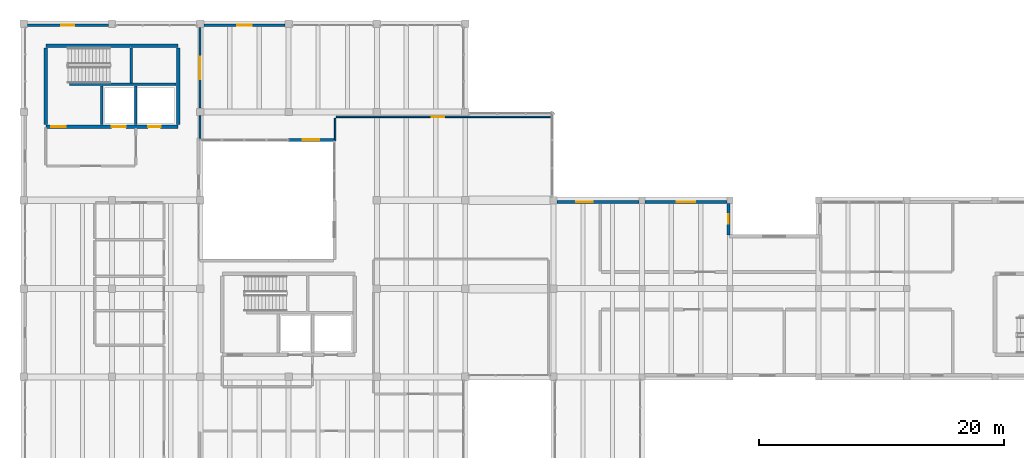
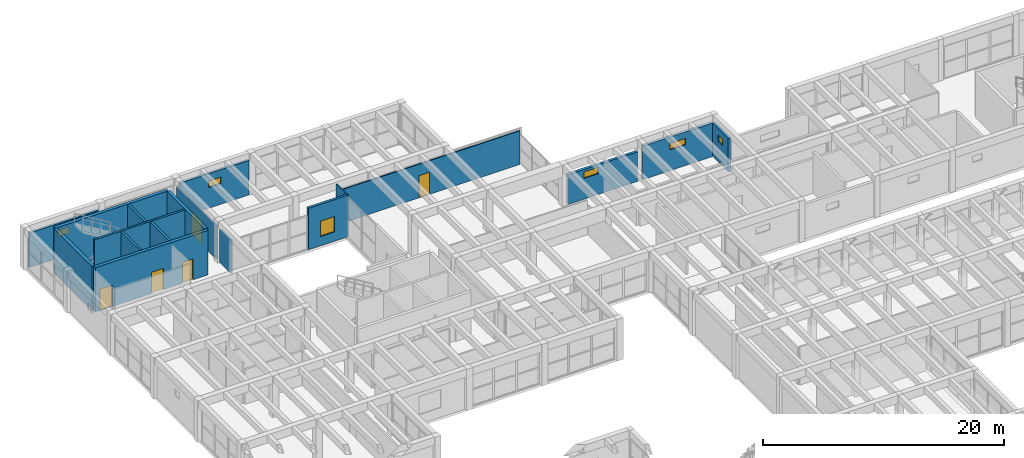
# One storey, part 140 of 153: 18 walls, 6 windows, 5 doors, 11 openings.
"""IFC4 building model written with IfcOpenShell, lengths in metres."""

from ifc_helpers import new_model, si_unit, direction, frame, frame_2d, origin, place, context, subcontext, project, spatial, rectangle, extrude, material, layer, layer_set, type_object, element, fill, save


model = new_model("IFC4")

# Units and contexts
model_context = context("Model", 3, precision=1e-05, world=origin(), true_north=direction((0.0, 1.0)))
body_context = subcontext(model_context, "Body", "Model", "MODEL_VIEW")
ifc_project = project(units=[si_unit("LENGTHUNIT", "METRE"), si_unit("AREAUNIT", "SQUARE_METRE"), si_unit("VOLUMEUNIT", "CUBIC_METRE"), si_unit("PLANEANGLEUNIT", "RADIAN"), si_unit("MASSUNIT", "GRAM", prefix="KILO")], contexts=[model_context])

# Site, building, storey
site_placement = place(None, origin())
site = spatial("IfcSite", under=ifc_project, at=site_placement, CompositionType="ELEMENT")
building_placement = place(site_placement, origin())
building = spatial("IfcBuilding", under=site, at=building_placement, Name="Bramvelor Terrace Health Centre", CompositionType="ELEMENT")
storey_placement = place(building_placement, frame((0.0, 0.0, 4.800048828125)))
storey = spatial("IfcBuildingStorey", under=building, at=storey_placement, Name="L02", CompositionType="ELEMENT", Elevation=4.800048828125)

# Wall, opening, door
ifc_material_1 = material(Name="Acoustic clinical partition board", Category="gypsum")
ifc_layer_1 = layer(ifc_material_1, 0.110107421875)
ifc_layer_set_1 = layer_set([ifc_layer_1], Name="Acoustic clinical partition board")
wall_type_1 = type_object("IfcWallType", Name="WL-CLN-110", PredefinedType="PARTITIONING", material=ifc_layer_set_1)
wall_1_placement = place(storey_placement, frame((25.489990234375, 107.60009765625, 0.0), z_axis=(0.0, 0.0, 1.0), x_axis=(1.0, 0.0, 0.0)))
wall_1 = element("IfcWall", 1, at=wall_1_placement, inside=storey, type_object=wall_type_1, Name="L02 Interior Partition 198", PredefinedType="PARTITIONING", context=body_context, shape_type="SweptSolid", body=[
    extrude(rectangle(XDim=17.47998046875, YDim=0.110107421875, at=frame_2d((8.739990234375, 0.0))), origin(), (0.0, 0.0, 1.0), 3.39990234375),
])
opening_1_placement = place(wall_1_placement, frame((7.784912109375, 0.0, 0.0)))
opening_1 = element("IfcOpeningElement", 2, at=opening_1_placement, cuts=wall_1, Name="Opening ID-C09", PredefinedType="OPENING", context=body_context, shape_type="SweptSolid", body=[
    extrude(rectangle(XDim=1.010009765625, YDim=2.239990234375, at=frame_2d((0.5048828125, 1.1201171875))), frame((0.0, 0.06494140625, 0.0), z_axis=(0.0, -1.0, 0.0), x_axis=(1.0, 0.0, 0.0)), (0.0, 0.0, 1.0), 0.130126953125),
])
ifc_material_2 = material(Name="Solid-core acoustic timber laminate", Category="wood")
door_type_1 = type_object("IfcDoorType", Name="DR-CLN-09", OperationType="NOTDEFINED", PredefinedType="DOOR", material=ifc_material_2)
door_1_placement = place(opening_1_placement, origin())
door_1 = element("IfcDoor", 3, at=door_1_placement, inside=storey, type_object=door_type_1, Name="L02 Adolescent Health Suite Clinical Door", OperationType="SINGLE_SWING_RIGHT", OverallHeight=2.239990234375, OverallWidth=1.010009765625, PredefinedType="DOOR", context=body_context, shape_type="SweptSolid", body=[
    extrude(rectangle(XDim=1.010009765625, YDim=2.239990234375, at=frame_2d((0.5048828125, 1.1201171875))), frame((0.0, 0.02490234375, 0.0), z_axis=(0.0, -1.0, 0.0), x_axis=(1.0, 0.0, 0.0)), (0.0, 0.0, 1.0), 0.050048828125),
])
fill(opening_1, door_1)

# Walls
ifc_material_3 = material(Name="Acoustic clinical partition board", Category="gypsum")
ifc_layer_2 = layer(ifc_material_3, 0.1201171875)
ifc_layer_set_2 = layer_set([ifc_layer_2], Name="Acoustic clinical partition board")
wall_type_2 = type_object("IfcWallType", Name="WL-CLN-120", PredefinedType="PARTITIONING", material=ifc_layer_set_2)
wall_2_placement = place(storey_placement, frame((25.39990234375, 105.6494140625, 0.0), z_axis=(0.0, 0.0, 1.0), x_axis=(0.0, 1.0, 0.0)))
element("IfcWall", 4, at=wall_2_placement, inside=storey, type_object=wall_type_2, Name="L02 Interior Partition 197", PredefinedType="PARTITIONING", context=body_context, shape_type="SweptSolid", body=[
    extrude(rectangle(XDim=1.860595703125, YDim=0.1201171875, at=frame_2d((0.93017578125, 0.0))), origin(), (0.0, 0.0, 1.0), 4.199951171875),
])
ifc_material_4 = material(Name="Fire-rated gypsum and mineral wool", Category="gypsum")
ifc_layer_3 = layer(ifc_material_4, 0.139892578125)
ifc_layer_set_3 = layer_set([ifc_layer_3], Name="Fire-rated gypsum and mineral wool")
wall_type_3 = type_object("IfcWallType", Name="WL-COR-140", PredefinedType="PARTITIONING", material=ifc_layer_set_3)
wall_3_placement = place(storey_placement, frame((14.3701171875, 105.848388671875, 0.0), z_axis=(0.0, 0.0, 1.0), x_axis=(0.0, 1.0, 0.0)))
element("IfcWall", 5, at=wall_3_placement, inside=storey, type_object=wall_type_3, Name="L02 Interior Partition 199", PredefinedType="PARTITIONING", context=body_context, shape_type="SweptSolid", body=[
    extrude(rectangle(XDim=1.836669921875, YDim=0.139892578125, at=frame_2d((0.91845703125, 0.0))), origin(), (0.0, 0.0, 1.0), 3.39990234375),
])

# Wall, opening, door
wall_4_placement = place(storey_placement, frame((14.3701171875, 108.31494140625, 0.0), z_axis=(0.0, 0.0, 1.0), x_axis=(0.0, 1.0, 0.0)))
wall_4 = element("IfcWall", 6, at=wall_4_placement, inside=storey, type_object=wall_type_3, Name="L02 Interior Partition 200", PredefinedType="PARTITIONING", context=body_context, shape_type="SweptSolid", body=[
    extrude(rectangle(XDim=6.574951171875, YDim=0.139892578125, at=frame_2d((3.28759765625, 0.0))), origin(), (0.0, 0.0, 1.0), 3.39990234375),
])
opening_2_placement = place(wall_4_placement, frame((2.367431640625, 0.0, 0.0)))
opening_2 = element("IfcOpeningElement", 7, at=opening_2_placement, cuts=wall_4, Name="Opening FD-10", PredefinedType="OPENING", context=body_context, shape_type="SweptSolid", body=[
    extrude(rectangle(XDim=1.840087890625, YDim=2.280029296875, at=frame_2d((0.919921875, 1.14013671875))), frame((0.0, 0.079833984375, 0.0), z_axis=(0.0, -1.0, 0.0), x_axis=(1.0, 0.0, 0.0)), (0.0, 0.0, 1.0), 0.159912109375),
])
ifc_material_5 = material(Name="Fire-rated steel and vision panel", Category="steel")
door_type_2 = type_object("IfcDoorType", Name="DR-FD60-184", OperationType="DOUBLE_DOOR_SINGLE_SWING", PredefinedType="DOOR", material=ifc_material_5)
door_2_placement = place(opening_2_placement, origin())
door_2 = element("IfcDoor", 8, at=door_2_placement, inside=storey, type_object=door_type_2, Name="L02 Multidisciplinary Case Review Room Fire Door", OperationType="DOUBLE_DOOR_SINGLE_SWING", OverallHeight=2.280029296875, OverallWidth=1.840087890625, PredefinedType="DOOR", context=body_context, shape_type="SweptSolid", body=[
    extrude(rectangle(XDim=1.840087890625, YDim=2.280029296875, at=frame_2d((0.919921875, 1.14013671875))), frame((0.0, 0.02490234375, 0.0), z_axis=(0.0, -1.0, 0.0), x_axis=(1.0, 0.0, 0.0)), (0.0, 0.0, 1.0), 0.050048828125),
])
fill(opening_2, door_2)

# Walls
ifc_material_6 = material(Name="Concrete C40/50", Category="concrete")
ifc_layer_4 = layer(ifc_material_6, 0.199951171875)
ifc_layer_set_4 = layer_set([ifc_layer_4], Name="Concrete C40/50")
wall_type_4 = type_object("IfcWallType", Name="WL-CORE-200", PredefinedType="SHEAR", material=ifc_layer_set_4)
wall_5_placement = place(storey_placement, frame((3.75, 110.25, 0.0), z_axis=(0.0, 0.0, 1.0), x_axis=(1.0, 0.0, 0.0)))
element("IfcWall", 9, at=wall_5_placement, inside=storey, type_object=wall_type_4, Name="C1 L02 Core Shear Wall", PredefinedType="SHEAR", context=body_context, shape_type="SweptSolid", body=[
    extrude(rectangle(XDim=8.669921875, YDim=0.199951171875, at=frame_2d((4.3349609375, 0.0))), origin(), (0.0, 0.0, 1.0), 4.5),
])
wall_6_placement = place(storey_placement, frame((8.7548828125, 110.3701171875, 0.0), z_axis=(0.0, 0.0, 1.0), x_axis=(0.0, 1.0, 0.0)))
element("IfcWall", 10, at=wall_6_placement, inside=storey, type_object=wall_type_4, Name="C1 L02 Core Shear Wall", PredefinedType="SHEAR", context=body_context, shape_type="SweptSolid", body=[
    extrude(rectangle(XDim=2.849853515625, YDim=0.199951171875, at=frame_2d((1.4248046875, 0.0))), origin(), (0.0, 0.0, 1.0), 4.5),
])
for number, where, z_axis, x_axis, name in (
    (11, (6.35009765625, 106.97998046875, 0.0), (0.0, 0.0, 1.0), (0.0, 1.0, 0.0), "C1 L02 Core Shear Wall"),
    (12, (9.14990234375, 106.97998046875, 0.0), (0.0, 0.0, 1.0), (0.0, 1.0, 0.0), "C1 L02 Lift Divider Wall"),
):
    element("IfcWall", number, at=place(storey_placement, frame(where, z_axis=z_axis, x_axis=x_axis)), inside=storey, type_object=wall_type_4, Name=name, PredefinedType="SHEAR", context=body_context, shape_type="SweptSolid", body=[
        extrude(rectangle(XDim=3.14990234375, YDim=0.199951171875, at=frame_2d((1.574951171875, 0.0))), origin(), (0.0, 0.0, 1.0), 4.5),
    ])

# Wall, openings, doors
ifc_material_7 = material(Name="Concrete C40/50", Category="concrete")
ifc_layer_5 = layer(ifc_material_7, 0.300048828125)
ifc_layer_set_5 = layer_set([ifc_layer_5], Name="Concrete C40/50")
wall_type_5 = type_object("IfcWallType", Name="WL-CORE-300", PredefinedType="SHEAR", material=ifc_layer_set_5)
wall_7_placement = place(storey_placement, frame((1.800048828125, 106.800048828125, 0.0), z_axis=(0.0, 0.0, 1.0), x_axis=(1.0, 0.0, 0.0)))
wall_7 = element("IfcWall", 13, at=wall_7_placement, inside=storey, type_object=wall_type_5, Name="C1 L02 Core Shear Wall", PredefinedType="SHEAR", context=body_context, shape_type="SweptSolid", body=[
    extrude(rectangle(XDim=10.800048828125, YDim=0.300048828125, at=frame_2d((5.39990234375, 0.0))), origin(), (0.0, 0.0, 1.0), 4.5),
])
opening_3_placement = place(wall_7_placement, frame((0.449951171875, 0.0, 0.0)))
opening_3 = element("IfcOpeningElement", 14, at=opening_3_placement, cuts=wall_7, Name="Opening FD-02", PredefinedType="OPENING", context=body_context, shape_type="SweptSolid", body=[
    extrude(rectangle(XDim=1.179931640625, YDim=2.159912109375, at=frame_2d((0.58984375, 1.080078125))), frame((0.0, 0.159912109375, 0.0), z_axis=(0.0, -1.0, 0.0), x_axis=(1.0, 0.0, 0.0)), (0.0, 0.0, 1.0), 0.320068359375),
])
opening_4_placement = place(wall_7_placement, frame((5.375, 0.0, 0.0)))
opening_4 = element("IfcOpeningElement", 15, at=opening_4_placement, cuts=wall_7, Name="Opening LD-1", PredefinedType="OPENING", context=body_context, shape_type="SweptSolid", body=[
    extrude(rectangle(XDim=1.14990234375, YDim=2.14990234375, at=frame_2d((0.574951171875, 1.074951171875))), frame((0.0, 0.159912109375, 0.0), z_axis=(0.0, -1.0, 0.0), x_axis=(1.0, 0.0, 0.0)), (0.0, 0.0, 1.0), 0.320068359375),
])
opening_5_placement = place(wall_7_placement, frame((8.340087890625, 0.0, 0.0)))
opening_5 = element("IfcOpeningElement", 16, at=opening_5_placement, cuts=wall_7, Name="Opening LD-2", PredefinedType="OPENING", context=body_context, shape_type="SweptSolid", body=[
    extrude(rectangle(XDim=1.02001953125, YDim=2.1201171875, at=frame_2d((0.510009765625, 1.06005859375))), frame((0.0, 0.159912109375, 0.0), z_axis=(0.0, -1.0, 0.0), x_axis=(1.0, 0.0, 0.0)), (0.0, 0.0, 1.0), 0.320068359375),
])
ifc_material_8 = material(Name="Fire-rated steel and vision panel", Category="steel")
door_type_3 = type_object("IfcDoorType", Name="DR-FD90-118", OperationType="NOTDEFINED", PredefinedType="DOOR", material=ifc_material_8)
door_3_placement = place(opening_3_placement, origin())
door_3 = element("IfcDoor", 17, at=door_3_placement, inside=storey, type_object=door_type_3, Name="C1 L02 Core Stair Fire Door", OperationType="SINGLE_SWING_LEFT", OverallHeight=2.159912109375, OverallWidth=1.179931640625, PredefinedType="DOOR", context=body_context, shape_type="SweptSolid", body=[
    extrude(rectangle(XDim=1.179931640625, YDim=2.159912109375, at=frame_2d((0.58984375, 1.080078125))), frame((0.0, 0.02490234375, 0.0), z_axis=(0.0, -1.0, 0.0), x_axis=(1.0, 0.0, 0.0)), (0.0, 0.0, 1.0), 0.050048828125),
])
fill(opening_3, door_3)
ifc_material_9 = material(Name="Brushed stainless steel 316", Category="steel")
door_type_4 = type_object("IfcDoorType", Name="DR-LIFT-FF115", OperationType="DOUBLE_DOOR_SLIDING", PredefinedType="DOOR", material=ifc_material_9)
door_4_placement = place(opening_4_placement, origin())
door_4 = element("IfcDoor", 18, at=door_4_placement, inside=storey, type_object=door_type_4, Name="Lift LF-01 L02 Sliding Landing Door", OperationType="DOUBLE_DOOR_SLIDING", OverallHeight=2.14990234375, OverallWidth=1.14990234375, PredefinedType="DOOR", context=body_context, shape_type="SweptSolid", body=[
    extrude(rectangle(XDim=1.14990234375, YDim=2.14990234375, at=frame_2d((0.574951171875, 1.074951171875))), frame((0.0, 0.02490234375, 0.0), z_axis=(0.0, -1.0, 0.0), x_axis=(1.0, 0.0, 0.0)), (0.0, 0.0, 1.0), 0.050048828125),
])
fill(opening_4, door_4)
ifc_material_10 = material(Name="Brushed stainless steel 316", Category="steel")
door_type_5 = type_object("IfcDoorType", Name="DR-LIFT-PS102", OperationType="SLIDING_TO_LEFT", PredefinedType="DOOR", material=ifc_material_10)
door_5_placement = place(opening_5_placement, origin())
door_5 = element("IfcDoor", 19, at=door_5_placement, inside=storey, type_object=door_type_5, Name="Lift LP-01 L02 Sliding Landing Door", OperationType="SLIDING_TO_LEFT", OverallHeight=2.1201171875, OverallWidth=1.02001953125, PredefinedType="DOOR", context=body_context, shape_type="SweptSolid", body=[
    extrude(rectangle(XDim=1.02001953125, YDim=2.1201171875, at=frame_2d((0.510009765625, 1.06005859375))), frame((0.0, 0.02490234375, 0.0), z_axis=(0.0, -1.0, 0.0), x_axis=(1.0, 0.0, 0.0)), (0.0, 0.0, 1.0), 0.050048828125),
])
fill(opening_5, door_5)

# Walls
wall_8_placement = place(storey_placement, frame((1.800048828125, 113.39990234375, 0.0), z_axis=(0.0, 0.0, 1.0), x_axis=(1.0, 0.0, 0.0)))
element("IfcWall", 20, at=wall_8_placement, inside=storey, type_object=wall_type_5, Name="C1 L02 Core Shear Wall", PredefinedType="SHEAR", context=body_context, shape_type="SweptSolid", body=[
    extrude(rectangle(XDim=10.800048828125, YDim=0.300048828125, at=frame_2d((5.39990234375, 0.0))), origin(), (0.0, 0.0, 1.0), 4.5),
])
for number, where, z_axis, x_axis, name in (
    (21, (1.800048828125, 106.97998046875, 0.0), (0.0, 0.0, 1.0), (0.0, 1.0, 0.0), "C1 L02 Core Shear Wall"),
    (22, (12.60009765625, 106.97998046875, 0.0), (0.0, 0.0, 1.0), (0.0, 1.0, 0.0), "C1 L02 Core Shear Wall"),
):
    element("IfcWall", number, at=place(storey_placement, frame(where, z_axis=z_axis, x_axis=x_axis)), inside=storey, type_object=wall_type_5, Name=name, PredefinedType="SHEAR", context=body_context, shape_type="SweptSolid", body=[
        extrude(rectangle(XDim=6.239990234375, YDim=0.300048828125, at=frame_2d((3.1201171875, 0.0))), origin(), (0.0, 0.0, 1.0), 4.5),
    ])

# Wall, opening, window
ifc_material_11 = material(Name="Concrete C40/50", Category="concrete")
ifc_layer_6 = layer(ifc_material_11, 0.260009765625)
ifc_layer_set_6 = layer_set([ifc_layer_6], Name="Concrete C40/50")
wall_type_6 = type_object("IfcWallType", Name="WL-EXT-RAD260", PredefinedType="SOLIDWALL", material=ifc_layer_set_6)
wall_9_placement = place(storey_placement, frame((43.4951171875, 100.669921875, 0.0), z_axis=(0.0, 0.0, 1.0), x_axis=(1.0, 0.0, 0.0)))
wall_9 = element("IfcWall", 23, at=wall_9_placement, inside=storey, type_object=wall_type_6, Name="L02 Exterior Facade Wall 27", PredefinedType="SOLIDWALL", context=body_context, shape_type="SweptSolid", body=[
    extrude(rectangle(XDim=6.659912109375, YDim=0.260009765625, at=frame_2d((3.330078125, 0.0))), origin(), (0.0, 0.0, 1.0), 3.0),
])
opening_6_placement = place(wall_9_placement, frame((1.554931640625, 0.0, 2.10009765625)))
opening_6 = element("IfcOpeningElement", 24, at=opening_6_placement, cuts=wall_9, Name="Opening WN-05", PredefinedType="OPENING", context=body_context, shape_type="SweptSolid", body=[
    extrude(rectangle(XDim=1.35009765625, YDim=0.64990234375, at=frame_2d((0.675048828125, 0.324951171875))), frame((0.0, 0.139892578125, 0.0), z_axis=(0.0, -1.0, 0.0), x_axis=(1.0, 0.0, 0.0)), (0.0, 0.0, 1.0), 0.280029296875),
])
ifc_material_12 = material(Name="Double low-E laminated glass", Category="glass")
window_type_1 = type_object("IfcWindowType", Name="WIN-EXT-05", PartitioningType="SINGLE_PANEL", PredefinedType="WINDOW", material=ifc_material_12)
window_1_placement = place(opening_6_placement, origin())
window_1 = element("IfcWindow", 25, at=window_1_placement, inside=storey, type_object=window_type_1, Name="L02 Scheduled Clinical Window 65", OverallHeight=0.64990234375, OverallWidth=1.35009765625, PartitioningType="SINGLE_PANEL", PredefinedType="WINDOW", context=body_context, shape_type="SweptSolid", body=[
    extrude(rectangle(XDim=1.35009765625, YDim=0.64990234375, at=frame_2d((0.675048828125, 0.324951171875))), frame((0.0, 0.030029296875, 0.0), z_axis=(0.0, -1.0, 0.0), x_axis=(1.0, 0.0, 0.0)), (0.0, 0.0, 1.0), 0.06005859375),
])
fill(opening_6, window_1)

wall_10_placement = place(storey_placement, frame((50.64501953125, 100.669921875, 0.0), z_axis=(0.0, 0.0, 1.0), x_axis=(1.0, 0.0, 0.0)))
wall_10 = element("IfcWall", 26, at=wall_10_placement, inside=storey, type_object=wall_type_6, Name="L02 Exterior Facade Wall 28", PredefinedType="SOLIDWALL", context=body_context, shape_type="SweptSolid", body=[
    extrude(rectangle(XDim=6.7099609375, YDim=0.260009765625, at=frame_2d((3.35498046875, 0.0))), origin(), (0.0, 0.0, 1.0), 3.39990234375),
])
opening_7_placement = place(wall_10_placement, frame((2.60498046875, 0.0, 2.10009765625)))
opening_7 = element("IfcOpeningElement", 27, at=opening_7_placement, cuts=wall_10, Name="Opening WN-06", PredefinedType="OPENING", context=body_context, shape_type="SweptSolid", body=[
    extrude(rectangle(XDim=1.5, YDim=0.64990234375, at=frame_2d((0.75, 0.324951171875))), frame((0.0, 0.139892578125, 0.0), z_axis=(0.0, -1.0, 0.0), x_axis=(1.0, 0.0, 0.0)), (0.0, 0.0, 1.0), 0.280029296875),
])
ifc_material_13 = material(Name="Double low-E laminated glass", Category="glass")
window_type_2 = type_object("IfcWindowType", Name="WIN-EXT-06", PartitioningType="SINGLE_PANEL", PredefinedType="WINDOW", material=ifc_material_13)
window_2_placement = place(opening_7_placement, origin())
window_2 = element("IfcWindow", 28, at=window_2_placement, inside=storey, type_object=window_type_2, Name="L02 Scheduled Clinical Window 66", OverallHeight=0.64990234375, OverallWidth=1.5, PartitioningType="SINGLE_PANEL", PredefinedType="WINDOW", context=body_context, shape_type="SweptSolid", body=[
    extrude(rectangle(XDim=1.5, YDim=0.64990234375, at=frame_2d((0.75, 0.324951171875))), frame((0.0, 0.030029296875, 0.0), z_axis=(0.0, -1.0, 0.0), x_axis=(1.0, 0.0, 0.0)), (0.0, 0.0, 1.0), 0.06005859375),
])
fill(opening_7, window_2)

wall_11_placement = place(storey_placement, frame((57.469970703125, 100.554931640625, 0.0), z_axis=(0.0, 0.0, 1.0), x_axis=(0.0, -1.0, 0.0)))
wall_11 = element("IfcWall", 29, at=wall_11_placement, inside=storey, type_object=wall_type_6, Name="L02 Exterior Facade Wall 29", PredefinedType="SOLIDWALL", context=body_context, shape_type="SweptSolid", body=[
    extrude(rectangle(XDim=2.595947265625, YDim=0.260009765625, at=frame_2d((1.2978515625, 0.0))), origin(), (0.0, 0.0, 1.0), 3.39990234375),
])
opening_8_placement = place(wall_11_placement, frame((0.91259765625, 0.0, 2.10009765625)))
opening_8 = element("IfcOpeningElement", 30, at=opening_8_placement, cuts=wall_11, Name="Opening WN-01", PredefinedType="OPENING", context=body_context, shape_type="SweptSolid", body=[
    extrude(rectangle(XDim=0.75, YDim=0.64990234375, at=frame_2d((0.375, 0.324951171875))), frame((0.0, 0.139892578125, 0.0), z_axis=(0.0, -1.0, 0.0), x_axis=(1.0, 0.0, 0.0)), (0.0, 0.0, 1.0), 0.280029296875),
])
ifc_material_14 = material(Name="Double low-E laminated glass", Category="glass")
window_type_3 = type_object("IfcWindowType", Name="WIN-EXT-01", PartitioningType="SINGLE_PANEL", PredefinedType="WINDOW", material=ifc_material_14)
window_3_placement = place(opening_8_placement, origin())
window_3 = element("IfcWindow", 31, at=window_3_placement, inside=storey, type_object=window_type_3, Name="L02 Scheduled Clinical Window 67", OverallHeight=0.64990234375, OverallWidth=0.75, PartitioningType="SINGLE_PANEL", PredefinedType="WINDOW", context=body_context, shape_type="SweptSolid", body=[
    extrude(rectangle(XDim=0.75, YDim=0.64990234375, at=frame_2d((0.375, 0.324951171875))), frame((0.0, 0.030029296875, 0.0), z_axis=(0.0, -1.0, 0.0), x_axis=(1.0, 0.0, 0.0)), (0.0, 0.0, 1.0), 0.06005859375),
])
fill(opening_8, window_3)

ifc_material_15 = material(Name="Precast concrete C40/50", Category="concrete")
ifc_layer_7 = layer(ifc_material_15, 0.239990234375)
ifc_layer_set_7 = layer_set([ifc_layer_7], Name="Precast concrete C40/50")
wall_type_7 = type_object("IfcWallType", Name="WL-EXT-RC240", PredefinedType="SOLIDWALL", material=ifc_layer_set_7)
wall_12_placement = place(storey_placement, frame((0.294921875, 115.070068359375, 0.0), z_axis=(0.0, 0.0, 1.0), x_axis=(1.0, 0.0, 0.0)))
wall_12 = element("IfcWall", 32, at=wall_12_placement, inside=storey, type_object=wall_type_7, Name="L02 Exterior Facade Wall 19", PredefinedType="SOLIDWALL", context=body_context, shape_type="SweptSolid", body=[
    extrude(rectangle(XDim=6.610107421875, YDim=0.239990234375, at=frame_2d((3.30517578125, 0.0))), origin(), (0.0, 0.0, 1.0), 3.5),
])
opening_9_placement = place(wall_12_placement, frame((2.780029296875, 0.0, 2.10009765625)))
opening_9 = element("IfcOpeningElement", 33, at=opening_9_placement, cuts=wall_12, Name="Opening WN-03", PredefinedType="OPENING", context=body_context, shape_type="SweptSolid", body=[
    extrude(rectangle(XDim=1.050048828125, YDim=0.64990234375, at=frame_2d((0.52490234375, 0.324951171875))), frame((0.0, 0.1298828125, 0.0), z_axis=(0.0, -1.0, 0.0), x_axis=(1.0, 0.0, 0.0)), (0.0, 0.0, 1.0), 0.260009765625),
])
ifc_material_16 = material(Name="Double low-E laminated glass", Category="glass")
window_type_4 = type_object("IfcWindowType", Name="WIN-EXT-03", PartitioningType="SINGLE_PANEL", PredefinedType="WINDOW", material=ifc_material_16)
window_4_placement = place(opening_9_placement, origin())
window_4 = element("IfcWindow", 34, at=window_4_placement, inside=storey, type_object=window_type_4, Name="L02 Scheduled Clinical Window 63", OverallHeight=0.64990234375, OverallWidth=1.050048828125, PartitioningType="SINGLE_PANEL", PredefinedType="WINDOW", context=body_context, shape_type="SweptSolid", body=[
    extrude(rectangle(XDim=1.050048828125, YDim=0.64990234375, at=frame_2d((0.52490234375, 0.324951171875))), frame((0.0, 0.030029296875, 0.0), z_axis=(0.0, -1.0, 0.0), x_axis=(1.0, 0.0, 0.0)), (0.0, 0.0, 1.0), 0.06005859375),
])
fill(opening_9, window_4)

wall_13_placement = place(storey_placement, frame((14.695068359375, 115.070068359375, 0.0), z_axis=(0.0, 0.0, 1.0), x_axis=(1.0, 0.0, 0.0)))
wall_13 = element("IfcWall", 35, at=wall_13_placement, inside=storey, type_object=wall_type_7, Name="L02 Exterior Facade Wall 21", PredefinedType="SOLIDWALL", context=body_context, shape_type="SweptSolid", body=[
    extrude(rectangle(XDim=6.60986328125, YDim=0.239990234375, at=frame_2d((3.304931640625, 0.0))), origin(), (0.0, 0.0, 1.0), 3.5),
])
opening_10_placement = place(wall_13_placement, frame((2.705078125, 0.0, 2.10009765625)))
opening_10 = element("IfcOpeningElement", 36, at=opening_10_placement, cuts=wall_13, Name="Opening WN-04", PredefinedType="OPENING", context=body_context, shape_type="SweptSolid", body=[
    extrude(rectangle(XDim=1.199951171875, YDim=0.64990234375, at=frame_2d((0.60009765625, 0.324951171875))), frame((0.0, 0.1298828125, 0.0), z_axis=(0.0, -1.0, 0.0), x_axis=(1.0, 0.0, 0.0)), (0.0, 0.0, 1.0), 0.260009765625),
])
ifc_material_17 = material(Name="Double low-E laminated glass", Category="glass")
window_type_5 = type_object("IfcWindowType", Name="WIN-EXT-04", PartitioningType="SINGLE_PANEL", PredefinedType="WINDOW", material=ifc_material_17)
window_5_placement = place(opening_10_placement, origin())
window_5 = element("IfcWindow", 37, at=window_5_placement, inside=storey, type_object=window_type_5, Name="L02 Scheduled Clinical Window 64", OverallHeight=0.64990234375, OverallWidth=1.199951171875, PartitioningType="SINGLE_PANEL", PredefinedType="WINDOW", context=body_context, shape_type="SweptSolid", body=[
    extrude(rectangle(XDim=1.199951171875, YDim=0.64990234375, at=frame_2d((0.60009765625, 0.324951171875))), frame((0.0, 0.030029296875, 0.0), z_axis=(0.0, -1.0, 0.0), x_axis=(1.0, 0.0, 0.0)), (0.0, 0.0, 1.0), 0.06005859375),
])
fill(opening_10, window_5)

wall_14_placement = place(storey_placement, frame((25.35107421875, 105.72998046875, 0.0), z_axis=(0.0, 0.0, 1.0), x_axis=(-1.0, 0.0, 0.0)))
wall_14 = element("IfcWall", 38, at=wall_14_placement, inside=storey, type_object=wall_type_7, Name="L02 Exterior Facade Wall 129", PredefinedType="SOLIDWALL", context=body_context, shape_type="SweptSolid", body=[
    extrude(rectangle(XDim=3.7509765625, YDim=0.239990234375, at=frame_2d((1.87548828125, 0.0))), origin(), (0.0, 0.0, 1.0), 4.199951171875),
])
opening_11_placement = place(wall_14_placement, frame((1.256103515625, 0.0, 0.949951171875)))
opening_11 = element("IfcOpeningElement", 39, at=opening_11_placement, cuts=wall_14, Name="Opening WN-41", PredefinedType="OPENING", context=body_context, shape_type="SweptSolid", body=[
    extrude(rectangle(XDim=1.35009765625, YDim=1.550048828125, at=frame_2d((0.675048828125, 0.77490234375))), frame((0.0, 0.1298828125, 0.0), z_axis=(0.0, -1.0, 0.0), x_axis=(1.0, 0.0, 0.0)), (0.0, 0.0, 1.0), 0.260009765625),
])
ifc_material_18 = material(Name="Double low-E laminated glass", Category="glass")
window_type_6 = type_object("IfcWindowType", Name="WIN-EXT-41", PartitioningType="SINGLE_PANEL", PredefinedType="WINDOW", material=ifc_material_18)
window_6_placement = place(opening_11_placement, origin())
window_6 = element("IfcWindow", 40, at=window_6_placement, inside=storey, type_object=window_type_6, Name="L02 Scheduled Clinical Window 101", OverallHeight=1.550048828125, OverallWidth=1.35009765625, PartitioningType="SINGLE_PANEL", PredefinedType="WINDOW", context=body_context, shape_type="SweptSolid", body=[
    extrude(rectangle(XDim=1.35009765625, YDim=1.550048828125, at=frame_2d((0.675048828125, 0.77490234375))), frame((0.0, 0.030029296875, 0.0), z_axis=(0.0, -1.0, 0.0), x_axis=(1.0, 0.0, 0.0)), (0.0, 0.0, 1.0), 0.06005859375),
])
fill(opening_11, window_6)

save(model, "model.ifc")
